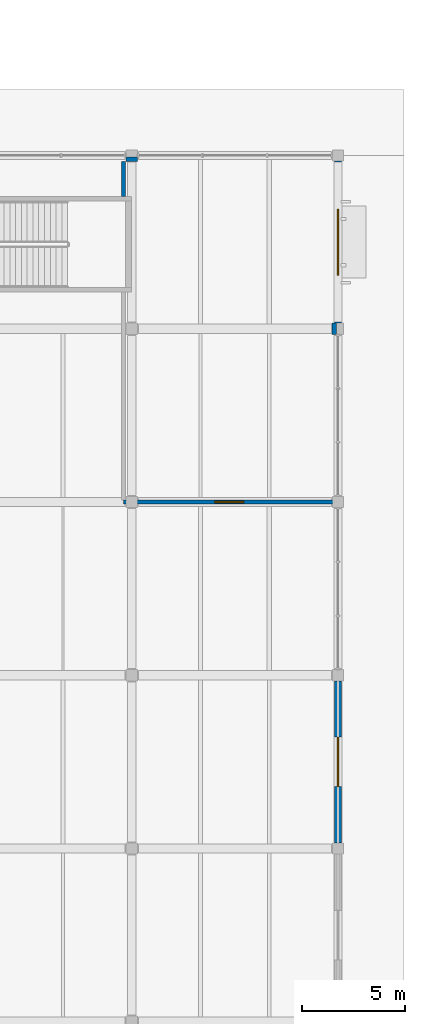
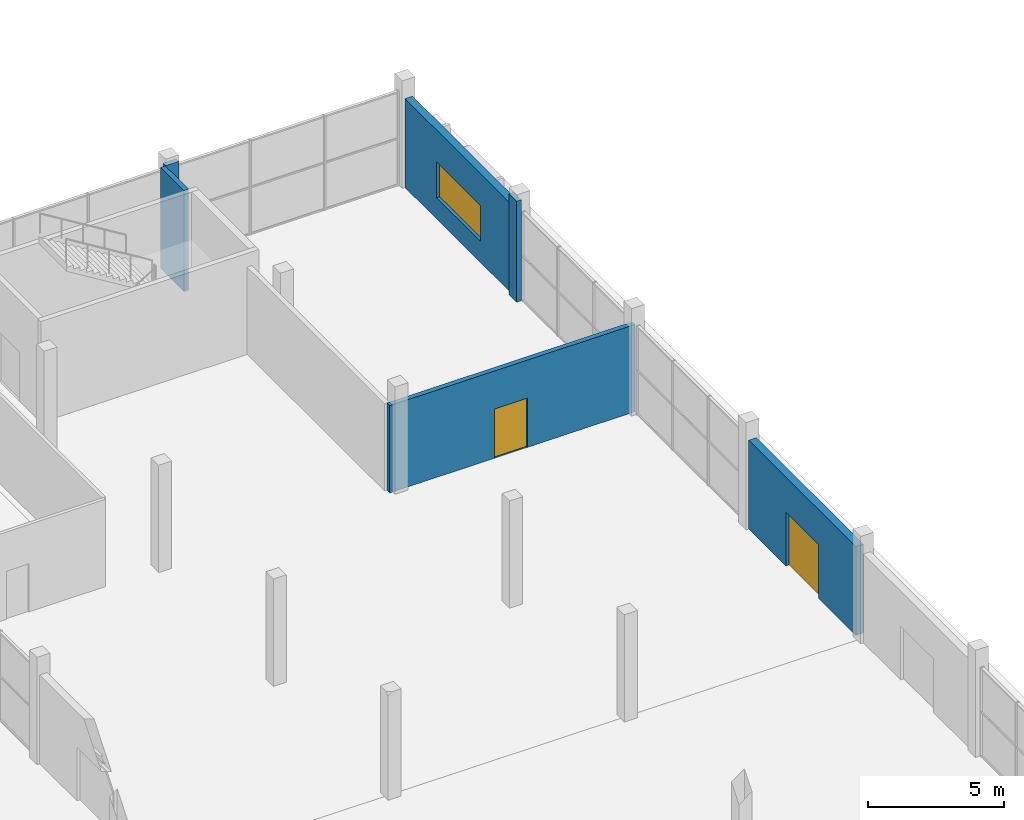
# One storey, part 98 of 130: 6 walls, 2 doors, 1 window, 3 openings.
"""IFC4 building model written with IfcOpenShell, lengths in metres."""

from ifc_helpers import new_model, si_unit, direction, frame, frame_2d, origin, place, context, subcontext, project, spatial, rectangle, extrude, material, layer, layer_set, type_object, element, fill, save


model = new_model("IFC4")

# Units and contexts
model_context = context("Model", 3, precision=1e-05, world=origin(), true_north=direction((0.0, 1.0)))
body_context = subcontext(model_context, "Body", "Model", "MODEL_VIEW")
ifc_project = project(units=[si_unit("LENGTHUNIT", "METRE"), si_unit("AREAUNIT", "SQUARE_METRE"), si_unit("VOLUMEUNIT", "CUBIC_METRE"), si_unit("PLANEANGLEUNIT", "RADIAN"), si_unit("MASSUNIT", "GRAM", prefix="KILO"), si_unit("THERMODYNAMICTEMPERATUREUNIT", "KELVIN")], contexts=[model_context])

# Site, building, storey
site_placement = place(None, origin())
site = spatial("IfcSite", under=ifc_project, at=site_placement, CompositionType="ELEMENT")
building_placement = place(site_placement, origin())
building = spatial("IfcBuilding", under=site, at=building_placement, Name="Nduvali Passage Aquatics Centre", CompositionType="ELEMENT")
storey_placement = place(building_placement, origin())
storey = spatial("IfcBuildingStorey", under=building, at=storey_placement, Name="L00", CompositionType="ELEMENT", Elevation=0.0)

# Wall, opening, door
ifc_material_1 = material(Name="Coral-stone masonry blockwork", Category="masonry")
ifc_layer_1 = layer(ifc_material_1, 0.320068359375, Name="Coral-stone masonry blockwork")
ifc_layer_set_1 = layer_set([ifc_layer_1], Name="Coral-stone masonry blockwork")
wall_type_1 = type_object("IfcWallType", Name="ENV-WAL-CORAL320", PredefinedType="STANDARD", material=ifc_layer_set_1)
wall_1_placement = place(storey_placement, frame((168.0, 59.074951171875, 0.0), z_axis=(0.0, 0.0, 1.0), x_axis=(0.0, 1.0, 0.0)))
wall_1 = element("IfcWall", 1, at=wall_1_placement, inside=storey, type_object=wall_type_1, Name="L00 East Pavilion Avenue Entrance 0096", PredefinedType="STANDARD", context=body_context, shape_type="SweptSolid", body=[
    extrude(rectangle(XDim=7.85009765625, YDim=0.320068359375, at=frame_2d((3.925048828125, 0.0))), origin(), (0.0, 0.0, 1.0), 3.976318359375),
])
opening_1_placement = place(wall_1_placement, frame((2.72509765625, 0.0, 0.0)))
opening_1 = element("IfcOpeningElement", 2, at=opening_1_placement, cuts=wall_1, Name="Opening ED1", PredefinedType="OPENING", context=body_context, shape_type="SweptSolid", body=[
    extrude(rectangle(XDim=2.39990234375, YDim=2.39990234375, at=frame_2d((1.199951171875, 1.199951171875))), frame((0.0, 0.1748046875, 0.0), z_axis=(0.0, -1.0, 0.0), x_axis=(1.0, 0.0, 0.0)), (0.0, 0.0, 1.0), 0.349853515625),
])
ifc_material_2 = material(Name="Aluminium-framed glazed door", Category="aluminium")
door_type_1 = type_object("IfcDoorType", Name="ENV-DR-EX240", OperationType="DOUBLE_DOOR_SINGLE_SWING", PredefinedType="DOOR", material=ifc_material_2)
door_1_placement = place(opening_1_placement, frame((2.39990234375, 0.0, 0.0), z_axis=(0.0, 0.0, 1.0), x_axis=(-1.0, 0.0, 0.0)))
door_1 = element("IfcDoor", 3, at=door_1_placement, inside=storey, type_object=door_type_1, Name="L00 Exterior Exit Door ED1-030", OperationType="DOUBLE_DOOR_SINGLE_SWING", OverallHeight=2.39990234375, OverallWidth=2.39990234375, PredefinedType="DOOR", context=body_context, shape_type="SweptSolid", body=[
    extrude(rectangle(XDim=2.39990234375, YDim=2.39990234375, at=frame_2d((1.199951171875, 1.199951171875))), frame((0.0, 0.02490234375, 0.0), z_axis=(0.0, -1.0, 0.0), x_axis=(1.0, 0.0, 0.0)), (0.0, 0.0, 1.0), 0.050048828125),
])
fill(opening_1, door_1)

# Wall, opening, window
wall_2_placement = place(storey_placement, frame((168.0, 84.27490234375, 0.0), z_axis=(0.0, 0.0, 1.0), x_axis=(0.0, 1.0, 0.0)))
wall_2 = element("IfcWall", 4, at=wall_2_placement, inside=storey, type_object=wall_type_1, Name="L00 East Pavilion Avenue Entrance 0098", PredefinedType="STANDARD", context=body_context, shape_type="SweptSolid", body=[
    extrude(rectangle(XDim=7.85009765625, YDim=0.320068359375, at=frame_2d((3.925048828125, 0.0))), origin(), (0.0, 0.0, 1.0), 3.976318359375),
])
opening_2_placement = place(wall_2_placement, frame((2.324951171875, 0.0, 0.949951171875)))
opening_2 = element("IfcOpeningElement", 5, at=opening_2_placement, cuts=wall_2, Name="Opening W10", PredefinedType="OPENING", context=body_context, shape_type="SweptSolid", body=[
    extrude(rectangle(XDim=3.199951171875, YDim=1.60009765625, at=frame_2d((1.60009765625, 0.800048828125))), frame((0.0, 0.1748046875, 0.0), z_axis=(0.0, -1.0, 0.0), x_axis=(1.0, 0.0, 0.0)), (0.0, 0.0, 1.0), 0.349853515625),
])
ifc_material_3 = material(Name="Aluminium-framed solar-control low-E IGU", Category="aluminium")
window_type = type_object("IfcWindowType", Name="ENV-WIN-W10", PartitioningType="SINGLE_PANEL", PredefinedType="WINDOW", material=ifc_material_3)
window_placement = place(opening_2_placement, origin())
window = element("IfcWindow", 6, at=window_placement, inside=storey, type_object=window_type, Name="L00 Exterior Window W10-0088", OverallHeight=1.60009765625, OverallWidth=3.199951171875, PartitioningType="SINGLE_PANEL", PredefinedType="WINDOW", context=body_context, shape_type="SweptSolid", body=[
    extrude(rectangle(XDim=3.199951171875, YDim=1.60009765625, at=frame_2d((1.60009765625, 0.800048828125))), frame((0.0, 0.030029296875, 0.0), z_axis=(0.0, -1.0, 0.0), x_axis=(1.0, 0.0, 0.0)), (0.0, 0.0, 1.0), 0.06005859375),
])
fill(opening_2, window)

# Wall, opening, door
ifc_layer_2 = layer(ifc_material_1, 0.199951171875, Name="Coral-stone masonry blockwork")
ifc_layer_set_2 = layer_set([ifc_layer_2], Name="Coral-stone masonry blockwork")
wall_type_2 = type_object("IfcWallType", Name="INT-WAL-COMP200", PredefinedType="PARTITIONING", material=ifc_layer_set_2)
wall_3_placement = place(storey_placement, frame((157.60009765625, 75.60009765625, 0.0), z_axis=(0.0, 0.0, 1.0), x_axis=(1.0, 0.0, 0.0)))
wall_3 = element("IfcWall", 7, at=wall_3_placement, inside=storey, type_object=wall_type_2, Name="L00 Cafe Servery Kitchen and Cold Store Partition 0107", PredefinedType="PARTITIONING", context=body_context, shape_type="SweptSolid", body=[
    extrude(rectangle(XDim=10.3798828125, YDim=0.199951171875, at=frame_2d((5.18994140625, 0.0))), origin(), (0.0, 0.0, 1.0), 3.903564453125),
])
opening_3_placement = place(wall_3_placement, frame((4.429931640625, 0.0, 0.0)))
opening_3 = element("IfcOpeningElement", 8, at=opening_3_placement, cuts=wall_3, Name="Opening FD-P1", PredefinedType="OPENING", context=body_context, shape_type="SweptSolid", body=[
    extrude(rectangle(XDim=1.39990234375, YDim=2.199951171875, at=frame_2d((0.699951171875, 1.10009765625))), frame((0.0, 0.11474609375, 0.0), z_axis=(0.0, -1.0, 0.0), x_axis=(1.0, 0.0, 0.0)), (0.0, 0.0, 1.0), 0.229736328125),
])
ifc_material_4 = material(Name="Galvanised steel door", Category="steel")
door_type_2 = type_object("IfcDoorType", Name="INT-DR-PLNT140", OperationType="DOUBLE_DOOR_SINGLE_SWING", PredefinedType="DOOR", material=ifc_material_4)
door_2_placement = place(opening_3_placement, frame((1.39990234375, 0.0, 0.0), z_axis=(0.0, 0.0, 1.0), x_axis=(-1.0, 0.0, 0.0)))
door_2 = element("IfcDoor", 9, at=door_2_placement, inside=storey, type_object=door_type_2, Name="L00 Cafe Servery Kitchen and Cold Store Door 0035", OperationType="DOUBLE_DOOR_SINGLE_SWING", OverallHeight=2.199951171875, OverallWidth=1.39990234375, PredefinedType="DOOR", context=body_context, shape_type="SweptSolid", body=[
    extrude(rectangle(XDim=1.39990234375, YDim=2.199951171875, at=frame_2d((0.699951171875, 1.10009765625))), frame((0.0, 0.02490234375, 0.0), z_axis=(0.0, -1.0, 0.0), x_axis=(1.0, 0.0, 0.0)), (0.0, 0.0, 1.0), 0.050048828125),
])
fill(opening_3, door_2)

# Walls
wall_4_placement = place(storey_placement, frame((157.72509765625, 92.219970703125, 0.0), z_axis=(0.0, 0.0, 1.0), x_axis=(1.0, 0.0, 0.0)))
element("IfcWall", 10, at=wall_4_placement, inside=storey, type_object=wall_type_2, Name="L00 Cafe Servery Kitchen and Cold Store Partition 0108", PredefinedType="PARTITIONING", context=body_context, shape_type="SweptSolid", body=[
    extrude(rectangle(XDim=0.5498046875, YDim=0.199951171875, at=frame_2d((0.27490234375, 0.0))), origin(), (0.0, 0.0, 1.0), 4.52001953125),
])
wall_5_placement = place(storey_placement, frame((157.60009765625, 90.409912109375, 0.0), z_axis=(0.0, 0.0, 1.0), x_axis=(0.0, 1.0, 0.0)))
element("IfcWall", 11, at=wall_5_placement, inside=storey, type_object=wall_type_2, Name="L00 Cafe Servery Kitchen and Cold Store Partition 0110", PredefinedType="PARTITIONING", context=body_context, shape_type="SweptSolid", body=[
    extrude(rectangle(XDim=1.710205078125, YDim=0.199951171875, at=frame_2d((0.85498046875, 0.0))), origin(), (0.0, 0.0, 1.0), 4.52001953125),
])
wall_6_placement = place(storey_placement, frame((167.820068359375, 83.72509765625, 0.0), z_axis=(0.0, 0.0, 1.0), x_axis=(0.0, 1.0, 0.0)))
element("IfcWall", 12, at=wall_6_placement, inside=storey, type_object=wall_type_2, Name="L00 Cafe Servery Kitchen and Cold Store Partition 0111", PredefinedType="PARTITIONING", context=body_context, shape_type="SweptSolid", body=[
    extrude(rectangle(XDim=0.5498046875, YDim=0.199951171875, at=frame_2d((0.27490234375, 0.0))), origin(), (0.0, 0.0, 1.0), 4.52001953125),
])

save(model, "model.ifc")
